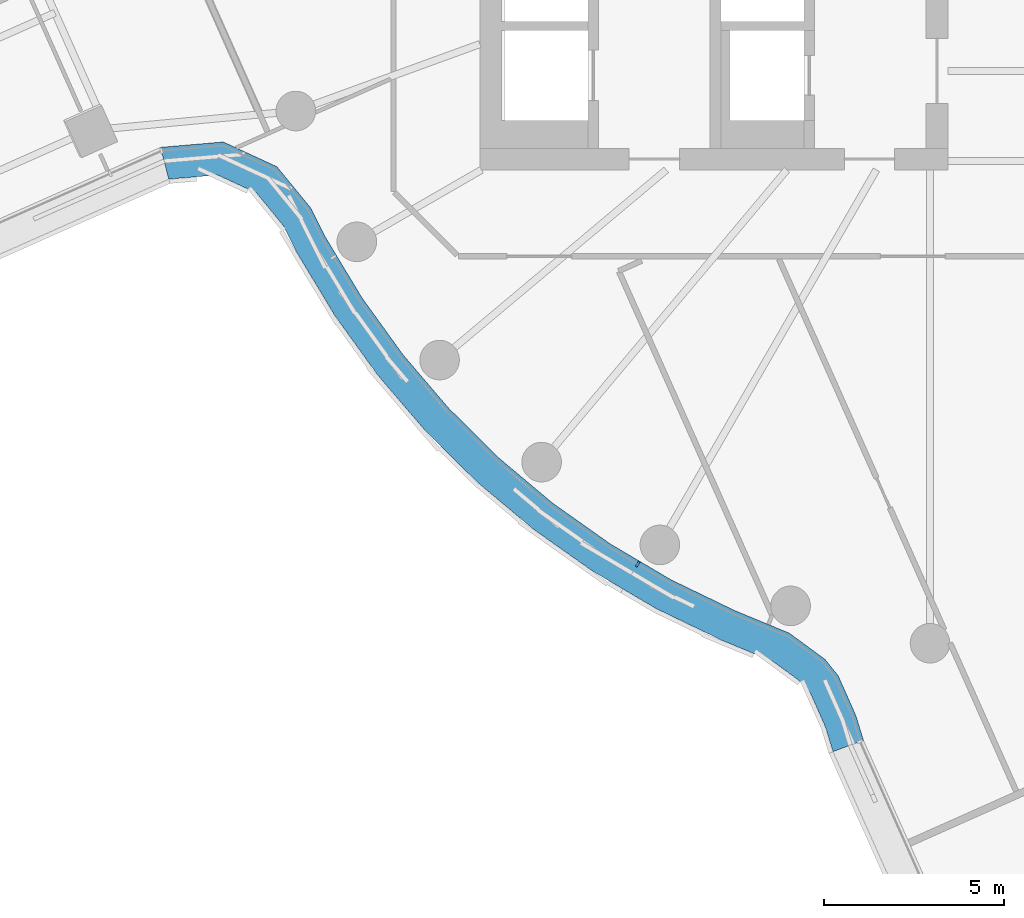
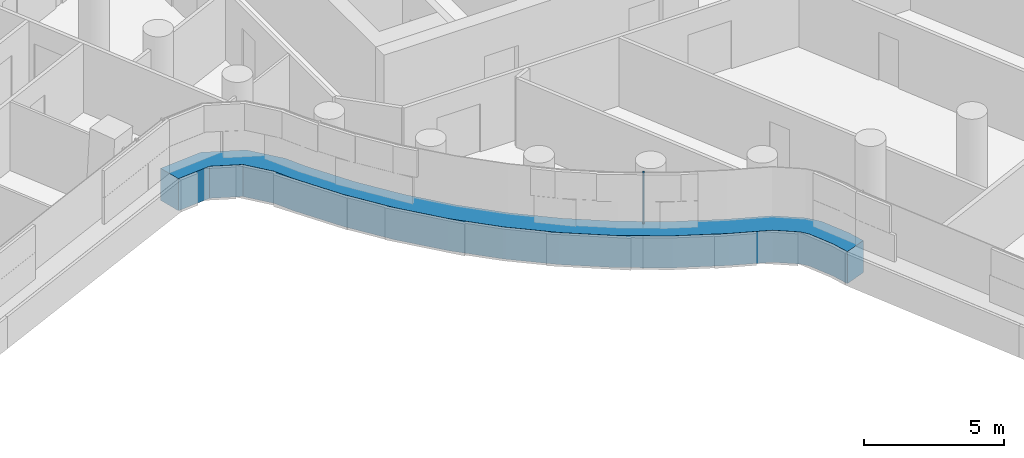
# One storey, part 3 of 35: 2 members, 1 element without a shape of its own.
"""IFC4 building model written with IfcOpenShell, lengths in metres."""

from ifc_helpers import new_model, si_unit, direction, frame, origin, origin_2d, place, context, subcontext, project, spatial, polyline, rectangle, outline, extrude, material, layer, layer_set, material_profile, profile_set, type_object, element, aggregate, save


model = new_model("IFC4")

# Units and contexts
model_context = context("Model", 3, precision=1e-05, world=origin(), true_north=direction((0.0, 1.0)))
body_context = subcontext(model_context, "Body", "Model", "MODEL_VIEW")
ifc_project = project(units=[si_unit("LENGTHUNIT", "METRE"), si_unit("AREAUNIT", "SQUARE_METRE"), si_unit("VOLUMEUNIT", "CUBIC_METRE"), si_unit("PLANEANGLEUNIT", "RADIAN"), si_unit("MASSUNIT", "GRAM", prefix="KILO")], contexts=[model_context])

# Site, building, storey
site_placement = place(None, origin())
site = spatial("IfcSite", under=ifc_project, at=site_placement, CompositionType="ELEMENT")
building_placement = place(site_placement, origin())
building = spatial("IfcBuilding", under=site, at=building_placement, Name="Tamarind Cross Interchange Tower", CompositionType="ELEMENT")
storey_placement = place(building_placement, frame((0.0, 0.0, 121.0)))
storey = spatial("IfcBuildingStorey", under=building, at=storey_placement, Name="L29", CompositionType="ELEMENT", Elevation=121.0)

# Curtain wall, members
ifc_material_1 = material(Name="Aluminium 6063-T6", Category="aluminium")
ifc_layer = layer(ifc_material_1, 0.159912109375)
ifc_layer_set = layer_set([ifc_layer], Name="Aluminium 6063-T6")
curtain_wall_type = type_object("IfcCurtainWallType", Name="Office curtain wall, 9.0 m bays", PredefinedType="NOTDEFINED", material=ifc_layer_set)
curtain_wall_placement = place(storey_placement, origin())
curtain_wall = element("IfcCurtainWall", 1, at=curtain_wall_placement, inside=storey, type_object=curtain_wall_type, Name="CWS-L29-02", PredefinedType="NOTDEFINED")
ifc_material_2 = material(Name="Aluminium and insulated spandrel panel", Category="aluminium")
member_type_1 = type_object("IfcMemberType", Name="Floor-edge blade transom", PredefinedType="USERDEFINED", material=ifc_material_2)
member_1_placement = place(storey_placement, origin())
member_1 = element("IfcMember", 2, at=member_1_placement, type_object=member_type_1, Name="CWT-L29-02", ObjectType="TRANSOM", PredefinedType="USERDEFINED", context=body_context, shape_type="SweptSolid", body=[
    extrude(outline(polyline([(-25.369873046875, -8.8740234375), (-23.626708984375, -8.724365234375), (-22.138427734375, -9.412109375), (-21.1943359375, -10.5625), (-20.79150390625, -11.36669921875), (-19.78125, -13.045654296875), (-18.636474609375, -14.634521484375), (-17.3642578125, -16.12353515625), (-15.973388671875, -17.50244140625), (-14.4736328125, -18.76171875), (-12.874755859375, -19.892822265625), (-11.188232421875, -20.88818359375), (-9.421630859375, -21.7421875), (-7.90380859375, -22.37109375), (-6.913818359375, -23.096435546875), (-6.547119140625, -23.5517578125), (-6.056396484375, -24.65673828125), (-5.843994140625, -25.34619140625), (-6.68798828125, -25.6630859375), (-6.900634765625, -24.97314453125), (-7.32177734375, -24.024658203125), (-7.540771484375, -23.7529296875), (-8.348388671875, -23.1611328125), (-9.7900390625, -22.563720703125), (-11.613525390625, -21.68212890625), (-13.3642578125, -20.64892578125), (-15.023681640625, -19.474853515625), (-16.580810546875, -18.167724609375), (-18.0244140625, -16.736572265625), (-19.344970703125, -15.19091796875), (-20.533203125, -13.54150390625), (-21.58056640625, -11.801025390625), (-21.953857421875, -11.0556640625), (-22.703125, -10.142578125), (-23.78759765625, -9.641357421875), (-25.142822265625, -9.7578125), (-25.369873046875, -8.8740234375)])), origin(), (0.0, 0.0, 1.0), 1.39990234375),
])
ifc_material_profile = material_profile(ifc_material_1, rectangle(XDim=0.06005859375, YDim=0.159912109375, at=origin_2d()), Name="Mullion CW1")
ifc_profile_set = profile_set([ifc_material_profile], Name="Aluminium 6063-T6")
member_type_2 = type_object("IfcMemberType", Name="Mullion CW1", PredefinedType="MULLION", material=ifc_profile_set)
member_2_placement = place(storey_placement, frame((-12.116943359375, -20.456298828125, 1.39990234375), z_axis=(0.0, 0.0, 1.0), x_axis=(0.861248933065, -0.508183308752, 0.0)))
member_2 = element("IfcMember", 3, at=member_2_placement, type_object=member_type_2, Name="CWM-L29-02-02", PredefinedType="MULLION", context=body_context, shape_type="SweptSolid", body=[
    extrude(rectangle(XDim=0.06005859375, YDim=0.159912109375, at=origin_2d()), origin(), (0.0, 0.0, 1.0), 2.210205078125),
])
aggregate(curtain_wall, [member_2, member_1])

save(model, "model.ifc")
